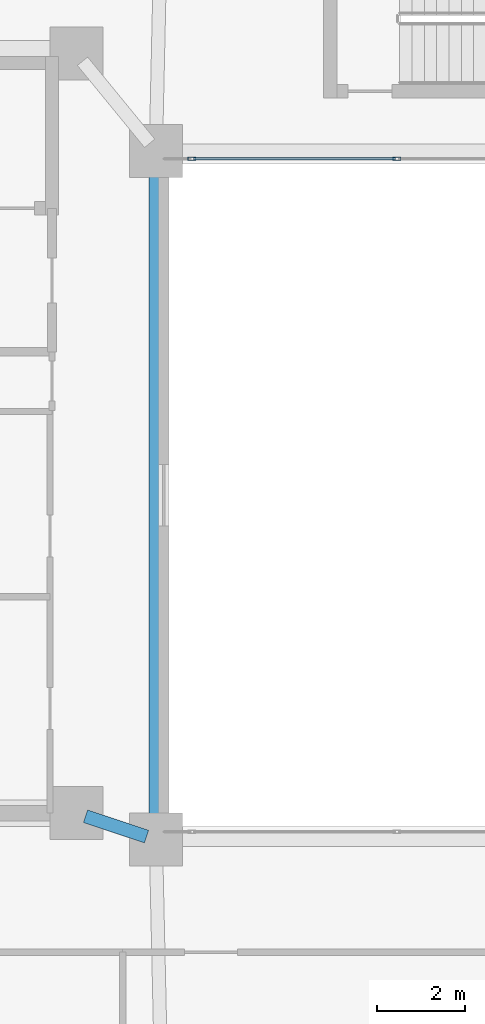
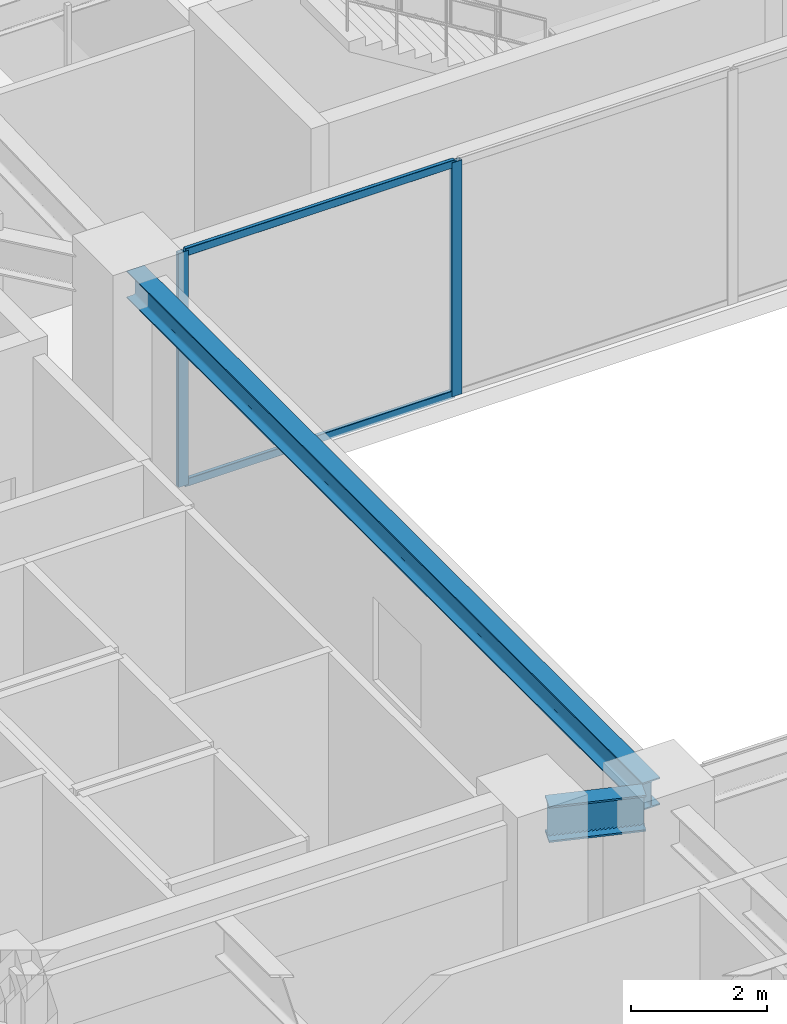
# One storey, part 11 of 37: 4 members, 2 beams, 1 element without a shape of its own.
"""IFC4 building model written with IfcOpenShell, lengths in metres."""

from ifc_helpers import new_model, si_unit, direction, frame, origin, origin_2d, place, context, subcontext, project, spatial, hollow_rectangle, i_section, extrude, material, layer, layer_set, material_profile, profile_set, type_object, element, aggregate, save


model = new_model("IFC4")

# Units and contexts
model_context = context("Model", 3, precision=1e-05, world=origin(), true_north=direction((0.0, 1.0)))
body_context = subcontext(model_context, "Body", "Model", "MODEL_VIEW")
ifc_project = project(units=[si_unit("LENGTHUNIT", "METRE"), si_unit("AREAUNIT", "SQUARE_METRE"), si_unit("VOLUMEUNIT", "CUBIC_METRE"), si_unit("PLANEANGLEUNIT", "RADIAN"), si_unit("MASSUNIT", "GRAM", prefix="KILO")], contexts=[model_context])

# Site, building, storey
site_placement = place(None, origin())
site = spatial("IfcSite", under=ifc_project, at=site_placement, CompositionType="ELEMENT")
building_placement = place(site_placement, origin())
building = spatial("IfcBuilding", under=site, at=building_placement, Name="Tarnavaz Court Tower", CompositionType="ELEMENT")
storey_placement = place(building_placement, frame((0.0, 0.0, 118.5)))
storey = spatial("IfcBuildingStorey", under=building, at=storey_placement, Name="L32", CompositionType="ELEMENT", Elevation=118.5)

# Beams
ifc_material_1 = material(Name="Steel S355", Category="steel")
ifc_material_profile_1 = material_profile(ifc_material_1, i_section(OverallWidth=0.300048828125, OverallDepth=0.64990234375, WebThickness=0.01611328125, FlangeThickness=0.031005859375, FilletRadius=0.027099609375, at=origin_2d()), Name="HEB 650")
ifc_profile_set_1 = profile_set([ifc_material_profile_1], Name="Steel S355")
beam_type_1 = type_object("IfcBeamType", Name="BM-G-HEB650", PredefinedType="USERDEFINED", material=ifc_profile_set_1)
beam_1_placement = place(storey_placement, frame((-9.391357421875, -7.26953125, 3.875), z_axis=(0.948666544706, -0.316278021615, 0.0), x_axis=(0.316278021615, 0.948666544706, 0.0)))
element("IfcBeam", 1, at=beam_1_placement, inside=storey, type_object=beam_type_1, Name="L32 Beam IN-CW-SI-IW-SW", ObjectType="GIRDER", PredefinedType="USERDEFINED", context=body_context, shape_type="SweptSolid", body=[
    extrude(i_section(OverallWidth=0.300048828125, OverallDepth=0.64990234375, WebThickness=0.01611328125, FlangeThickness=0.031005859375, FilletRadius=0.027099609375, at=origin_2d()), origin(), (0.0, 0.0, 1.0), 1.457275390625),
])
ifc_material_profile_2 = material_profile(ifc_material_1, i_section(OverallWidth=0.300048828125, OverallDepth=0.489990234375, WebThickness=0.011962890625, FlangeThickness=0.02294921875, FilletRadius=0.027099609375, at=origin_2d()), Name="HEA 500")
ifc_profile_set_2 = profile_set([ifc_material_profile_2], Name="Steel S355")
beam_type_2 = type_object("IfcBeamType", Name="BM-SP-HEA500", PredefinedType="SPANDREL", material=ifc_profile_set_2)
beam_2_placement = place(storey_placement, frame((-7.800048828125, -7.580078125, 3.955078125), z_axis=(0.0, 1.0, 0.0), x_axis=(-1.0, 0.0, 0.0)))
element("IfcBeam", 2, at=beam_2_placement, inside=storey, type_object=beam_type_2, Name="L32 Beam IN-IW-SW-IW-NW", PredefinedType="SPANDREL", context=body_context, shape_type="SweptSolid", body=[
    extrude(i_section(OverallWidth=0.300048828125, OverallDepth=0.489990234375, WebThickness=0.011962890625, FlangeThickness=0.02294921875, FilletRadius=0.027099609375, at=origin_2d()), origin(), (0.0, 0.0, 1.0), 15.16015625),
])

# Curtain wall, members
ifc_material_2 = material(Name="Anodised Aluminium 6063-T6 and Solar Low-E Glazing", Category="aluminium")
ifc_layer = layer(ifc_material_2, 0.139892578125)
ifc_layer_set = layer_set([ifc_layer], Name="Anodised Aluminium 6063-T6 and Solar Low-E Glazing")
curtain_wall_type = type_object("IfcCurtainWallType", Name="CW-SYS-04", PredefinedType="NOTDEFINED", material=ifc_layer_set)
curtain_wall_placement = place(storey_placement, origin())
curtain_wall = element("IfcCurtainWall", 3, at=curtain_wall_placement, inside=storey, type_object=curtain_wall_type, Name="L32 Badgir Courtyard Curtain Wall N", PredefinedType="NOTDEFINED")
ifc_material_3 = material(Name="Anodised Aluminium 6063-T6", Category="aluminium")
ifc_material_profile_3 = material_profile(ifc_material_3, hollow_rectangle(XDim=0.074951171875, YDim=0.179931640625, WallThickness=0.0048828125, InnerFilletRadius=0.0048828125, OuterFilletRadius=0.010009765625, at=origin_2d()), Name="ALU RHS 180X75X5")
ifc_profile_set_3 = profile_set([ifc_material_profile_3], Name="Anodised Aluminium 6063-T6")
member_type_1 = type_object("IfcMemberType", Name="CW-MUL-180", PredefinedType="MULLION", material=ifc_profile_set_3)
member_1_placement = place(storey_placement, frame((-2.340087890625, 7.6201171875, 0.0), z_axis=(0.0, 0.0, 1.0), x_axis=(0.0, -1.0, 0.0)))
member_1 = element("IfcMember", 4, at=member_1_placement, type_object=member_type_1, Name="CW mullion 3", PredefinedType="MULLION", context=body_context, shape_type="SweptSolid", body=[
    extrude(hollow_rectangle(XDim=0.074951171875, YDim=0.179931640625, WallThickness=0.0048828125, InnerFilletRadius=0.0048828125, OuterFilletRadius=0.010009765625, at=origin_2d()), origin(), (0.0, 0.0, 1.0), 4.199951171875),
])
member_2_placement = place(storey_placement, frame((-6.982421875, 7.6201171875, 0.0), z_axis=(0.0, 0.0, 1.0), x_axis=(0.0, -1.0, 0.0)))
member_2 = element("IfcMember", 5, at=member_2_placement, type_object=member_type_1, Name="CW mullion 4", PredefinedType="MULLION", context=body_context, shape_type="SweptSolid", body=[
    extrude(hollow_rectangle(XDim=0.074951171875, YDim=0.179931640625, WallThickness=0.0048828125, InnerFilletRadius=0.0048828125, OuterFilletRadius=0.010009765625, at=origin_2d()), origin(), (0.0, 0.0, 1.0), 4.199951171875),
])
ifc_material_profile_4 = material_profile(ifc_material_3, hollow_rectangle(XDim=0.06494140625, YDim=0.139892578125, WallThickness=0.00390625, InnerFilletRadius=0.00390625, OuterFilletRadius=0.008056640625, at=origin_2d()), Name="ALU RHS 140X65X4")
ifc_profile_set_4 = profile_set([ifc_material_profile_4], Name="Anodised Aluminium 6063-T6")
member_type_2 = type_object("IfcMemberType", Name="CW-TRN-140", PredefinedType="USERDEFINED", material=ifc_profile_set_4)
member_3_placement = place(storey_placement, frame((-2.37744140625, 7.6201171875, 0.032470703125), z_axis=(-1.0, 0.0, 0.0), x_axis=(0.0, -1.0, 0.0)))
member_3 = element("IfcMember", 6, at=member_3_placement, type_object=member_type_2, Name="CW transom 3.1", ObjectType="TRANSOM", PredefinedType="USERDEFINED", context=body_context, shape_type="SweptSolid", body=[
    extrude(hollow_rectangle(XDim=0.06494140625, YDim=0.139892578125, WallThickness=0.00390625, InnerFilletRadius=0.00390625, OuterFilletRadius=0.008056640625, at=origin_2d()), origin(), (0.0, 0.0, 1.0), 4.567626953125),
])
member_4_placement = place(storey_placement, frame((-2.37744140625, 7.6201171875, 4.16748046875), z_axis=(-1.0, 0.0, 0.0), x_axis=(0.0, -1.0, 0.0)))
member_4 = element("IfcMember", 7, at=member_4_placement, type_object=member_type_2, Name="CW transom 3.2", ObjectType="TRANSOM", PredefinedType="USERDEFINED", context=body_context, shape_type="SweptSolid", body=[
    extrude(hollow_rectangle(XDim=0.06494140625, YDim=0.139892578125, WallThickness=0.00390625, InnerFilletRadius=0.00390625, OuterFilletRadius=0.008056640625, at=origin_2d()), origin(), (0.0, 0.0, 1.0), 4.567626953125),
])
aggregate(curtain_wall, [member_1, member_2, member_3, member_4])

save(model, "model.ifc")
